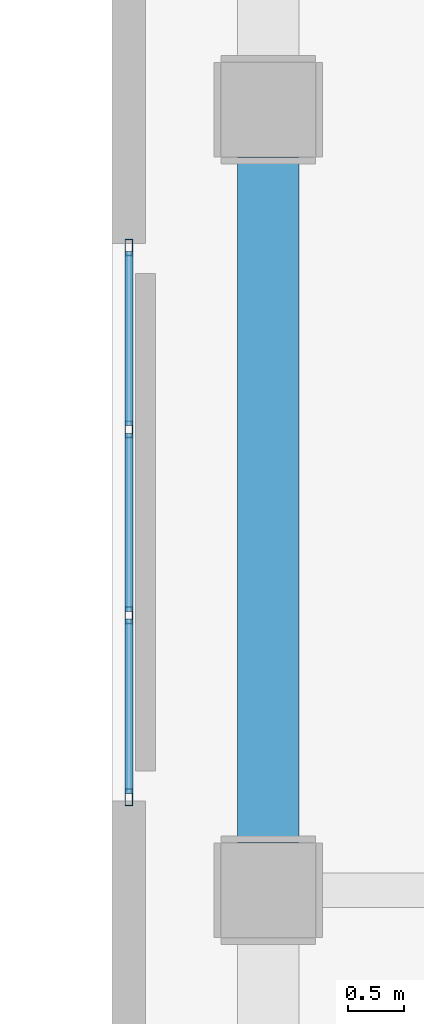
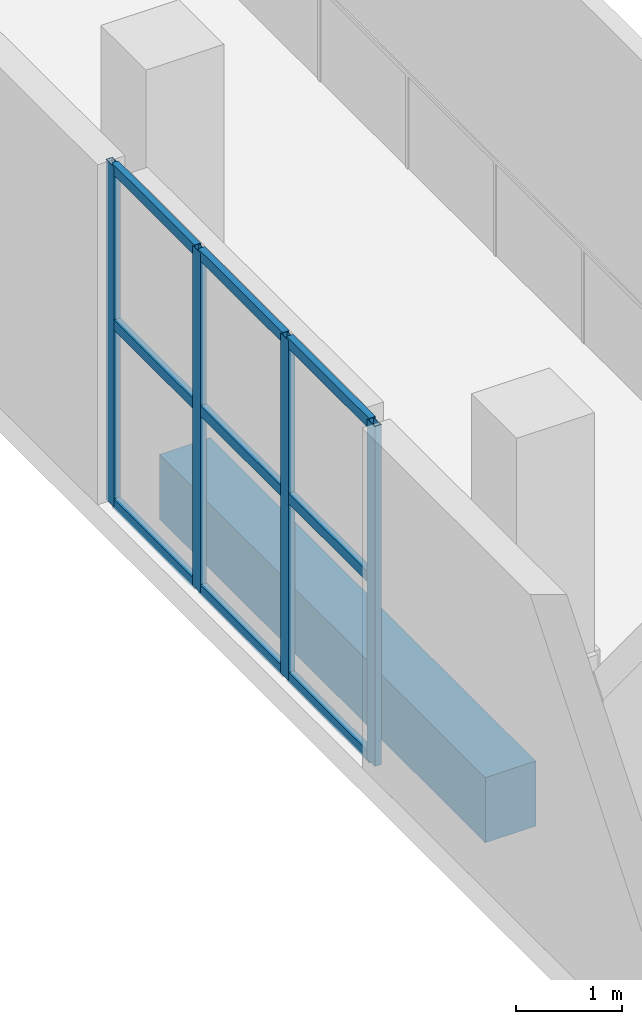
# One storey, part 6 of 20: 13 members, 1 beam, 1 element without a shape of its own.
"""IFC4 building model written with IfcOpenShell, lengths in metres."""

from ifc_helpers import new_model, si_unit, direction, frame, origin, origin_2d, place, context, subcontext, project, spatial, rectangle, hollow_rectangle, extrude, material, layer, layer_set, material_profile, profile_set, type_object, element, aggregate, save


model = new_model("IFC4")

# Units and contexts
model_context = context("Model", 3, precision=1e-05, world=origin(), true_north=direction((0.0, 1.0)))
body_context = subcontext(model_context, "Body", "Model", "MODEL_VIEW")
ifc_project = project(units=[si_unit("LENGTHUNIT", "METRE"), si_unit("AREAUNIT", "SQUARE_METRE"), si_unit("VOLUMEUNIT", "CUBIC_METRE"), si_unit("PLANEANGLEUNIT", "RADIAN"), si_unit("MASSUNIT", "GRAM", prefix="KILO")], contexts=[model_context])

# Site, building, storey
site_placement = place(None, origin())
site = spatial("IfcSite", under=ifc_project, at=site_placement, CompositionType="ELEMENT")
building_placement = place(site_placement, origin())
building = spatial("IfcBuilding", under=site, at=building_placement, Name="Solanera Arch Residences", CompositionType="ELEMENT")
storey_placement = place(building_placement, frame((0.0, 0.0, 9.39990234375)))
storey = spatial("IfcBuildingStorey", under=building, at=storey_placement, Name="L02", CompositionType="ELEMENT", Elevation=9.39990234375)

# Curtain wall, members
ifc_material_1 = material(Name="Anodised Aluminium Alloy 6063-T6", Category="aluminium")
ifc_layer = layer(ifc_material_1, 0.159912109375)
ifc_layer_set = layer_set([ifc_layer], Name="Anodised Aluminium Alloy 6063-T6")
curtain_wall_type = type_object("IfcCurtainWallType", Name="CW-3 Sports Hall Foyer Curtain Wall", PredefinedType="USERDEFINED", material=ifc_layer_set)
curtain_wall_placement = place(storey_placement, origin())
curtain_wall = element("IfcCurtainWall", 1, at=curtain_wall_placement, inside=storey, type_object=curtain_wall_type, Name="L02 Sports Hall Foyer Curtain Wall 1", ObjectType="CURTAIN_WALL", PredefinedType="USERDEFINED")
ifc_material_2 = material(Name="Anodised Aluminium Alloy 6063-T6", Category="aluminium")
ifc_material_profile_1 = material_profile(ifc_material_2, hollow_rectangle(XDim=0.070068359375, YDim=0.14990234375, WallThickness=0.00390625, at=origin_2d()))
ifc_profile_set_1 = profile_set([ifc_material_profile_1], Name="Anodised Aluminium Alloy 6063-T6")
member_type_1 = type_object("IfcMemberType", Name="Curtain Wall Mullion ALU-MUL-70X150", PredefinedType="MULLION", material=ifc_profile_set_1)
member_1_placement = place(storey_placement, frame((54.550048828125, 20.635009765625, 0.0), z_axis=(0.0, 0.0, 1.0), x_axis=(-1.0, 0.0, 0.0)))
member_1 = element("IfcMember", 2, at=member_1_placement, type_object=member_type_1, Name="CW-3 mullion 1", PredefinedType="MULLION", context=body_context, shape_type="SweptSolid", body=[
    extrude(hollow_rectangle(XDim=0.070068359375, YDim=0.14990234375, WallThickness=0.00390625, at=origin_2d()), origin(), (0.0, 0.0, 1.0), 3.920166015625),
])
member_2_placement = place(storey_placement, frame((54.550048828125, 22.2666015625, 0.0), z_axis=(0.0, 0.0, 1.0), x_axis=(-1.0, 0.0, 0.0)))
member_2 = element("IfcMember", 3, at=member_2_placement, type_object=member_type_1, Name="CW-3 mullion 2", PredefinedType="MULLION", context=body_context, shape_type="SweptSolid", body=[
    extrude(hollow_rectangle(XDim=0.070068359375, YDim=0.14990234375, WallThickness=0.00390625, at=origin_2d()), origin(), (0.0, 0.0, 1.0), 3.920166015625),
])
member_3_placement = place(storey_placement, frame((54.550048828125, 23.933349609375, 0.0), z_axis=(0.0, 0.0, 1.0), x_axis=(-1.0, 0.0, 0.0)))
member_3 = element("IfcMember", 4, at=member_3_placement, type_object=member_type_1, Name="CW-3 mullion 3", PredefinedType="MULLION", context=body_context, shape_type="SweptSolid", body=[
    extrude(hollow_rectangle(XDim=0.070068359375, YDim=0.14990234375, WallThickness=0.00390625, at=origin_2d()), origin(), (0.0, 0.0, 1.0), 3.920166015625),
])
member_4_placement = place(storey_placement, frame((54.550048828125, 25.56494140625, 0.0), z_axis=(0.0, 0.0, 1.0), x_axis=(-1.0, 0.0, 0.0)))
member_4 = element("IfcMember", 5, at=member_4_placement, type_object=member_type_1, Name="CW-3 mullion 4", PredefinedType="MULLION", context=body_context, shape_type="SweptSolid", body=[
    extrude(hollow_rectangle(XDim=0.070068359375, YDim=0.14990234375, WallThickness=0.00390625, at=origin_2d()), origin(), (0.0, 0.0, 1.0), 3.920166015625),
])
ifc_material_3 = material(Name="Anodised Aluminium Alloy 6063-T6", Category="aluminium")
ifc_material_profile_2 = material_profile(ifc_material_3, hollow_rectangle(XDim=0.070068359375, YDim=0.1201171875, WallThickness=0.00390625, at=origin_2d()))
ifc_profile_set_2 = profile_set([ifc_material_profile_2], Name="Anodised Aluminium Alloy 6063-T6")
member_type_2 = type_object("IfcMemberType", Name="Curtain Wall Transom ALU-TRN-70X120", PredefinedType="USERDEFINED", material=ifc_profile_set_2)
member_5_placement = place(storey_placement, frame((54.550048828125, 20.669921875, 0.03515625), z_axis=(0.0, 1.0, 0.0), x_axis=(-1.0, 0.0, 0.0)))
member_5 = element("IfcMember", 6, at=member_5_placement, type_object=member_type_2, Name="CW-3 transom 1.1", ObjectType="TRANSOM", PredefinedType="USERDEFINED", context=body_context, shape_type="SweptSolid", body=[
    extrude(hollow_rectangle(XDim=0.070068359375, YDim=0.1201171875, WallThickness=0.00390625, at=origin_2d()), origin(), (0.0, 0.0, 1.0), 1.561767578125),
])
member_6_placement = place(storey_placement, frame((54.550048828125, 20.669921875, 2.10009765625), z_axis=(0.0, 1.0, 0.0), x_axis=(-1.0, 0.0, 0.0)))
member_6 = element("IfcMember", 7, at=member_6_placement, type_object=member_type_2, Name="CW-3 transom 1.2", ObjectType="TRANSOM", PredefinedType="USERDEFINED", context=body_context, shape_type="SweptSolid", body=[
    extrude(hollow_rectangle(XDim=0.070068359375, YDim=0.1201171875, WallThickness=0.00390625, at=origin_2d()), origin(), (0.0, 0.0, 1.0), 1.561767578125),
])
member_7_placement = place(storey_placement, frame((54.550048828125, 20.669921875, 3.885009765625), z_axis=(0.0, 1.0, 0.0), x_axis=(-1.0, 0.0, 0.0)))
member_7 = element("IfcMember", 8, at=member_7_placement, type_object=member_type_2, Name="CW-3 transom 1.3", ObjectType="TRANSOM", PredefinedType="USERDEFINED", context=body_context, shape_type="SweptSolid", body=[
    extrude(hollow_rectangle(XDim=0.070068359375, YDim=0.1201171875, WallThickness=0.00390625, at=origin_2d()), origin(), (0.0, 0.0, 1.0), 1.561767578125),
])
member_8_placement = place(storey_placement, frame((54.550048828125, 22.3017578125, 0.03515625), z_axis=(0.0, 1.0, 0.0), x_axis=(-1.0, 0.0, 0.0)))
member_8 = element("IfcMember", 9, at=member_8_placement, type_object=member_type_2, Name="CW-3 transom 2.1", ObjectType="TRANSOM", PredefinedType="USERDEFINED", context=body_context, shape_type="SweptSolid", body=[
    extrude(hollow_rectangle(XDim=0.070068359375, YDim=0.1201171875, WallThickness=0.00390625, at=origin_2d()), origin(), (0.0, 0.0, 1.0), 1.5966796875),
])
member_9_placement = place(storey_placement, frame((54.550048828125, 22.3017578125, 2.10009765625), z_axis=(0.0, 1.0, 0.0), x_axis=(-1.0, 0.0, 0.0)))
member_9 = element("IfcMember", 10, at=member_9_placement, type_object=member_type_2, Name="CW-3 transom 2.2", ObjectType="TRANSOM", PredefinedType="USERDEFINED", context=body_context, shape_type="SweptSolid", body=[
    extrude(hollow_rectangle(XDim=0.070068359375, YDim=0.1201171875, WallThickness=0.00390625, at=origin_2d()), origin(), (0.0, 0.0, 1.0), 1.5966796875),
])
member_10_placement = place(storey_placement, frame((54.550048828125, 22.3017578125, 3.885009765625), z_axis=(0.0, 1.0, 0.0), x_axis=(-1.0, 0.0, 0.0)))
member_10 = element("IfcMember", 11, at=member_10_placement, type_object=member_type_2, Name="CW-3 transom 2.3", ObjectType="TRANSOM", PredefinedType="USERDEFINED", context=body_context, shape_type="SweptSolid", body=[
    extrude(hollow_rectangle(XDim=0.070068359375, YDim=0.1201171875, WallThickness=0.00390625, at=origin_2d()), origin(), (0.0, 0.0, 1.0), 1.5966796875),
])
member_11_placement = place(storey_placement, frame((54.550048828125, 23.96826171875, 0.03515625), z_axis=(0.0, 1.0, 0.0), x_axis=(-1.0, 0.0, 0.0)))
member_11 = element("IfcMember", 12, at=member_11_placement, type_object=member_type_2, Name="CW-3 transom 3.1", ObjectType="TRANSOM", PredefinedType="USERDEFINED", context=body_context, shape_type="SweptSolid", body=[
    extrude(hollow_rectangle(XDim=0.070068359375, YDim=0.1201171875, WallThickness=0.00390625, at=origin_2d()), origin(), (0.0, 0.0, 1.0), 1.561767578125),
])
member_12_placement = place(storey_placement, frame((54.550048828125, 23.96826171875, 2.10009765625), z_axis=(0.0, 1.0, 0.0), x_axis=(-1.0, 0.0, 0.0)))
member_12 = element("IfcMember", 13, at=member_12_placement, type_object=member_type_2, Name="CW-3 transom 3.2", ObjectType="TRANSOM", PredefinedType="USERDEFINED", context=body_context, shape_type="SweptSolid", body=[
    extrude(hollow_rectangle(XDim=0.070068359375, YDim=0.1201171875, WallThickness=0.00390625, at=origin_2d()), origin(), (0.0, 0.0, 1.0), 1.561767578125),
])
member_13_placement = place(storey_placement, frame((54.550048828125, 23.96826171875, 3.885009765625), z_axis=(0.0, 1.0, 0.0), x_axis=(-1.0, 0.0, 0.0)))
member_13 = element("IfcMember", 14, at=member_13_placement, type_object=member_type_2, Name="CW-3 transom 3.3", ObjectType="TRANSOM", PredefinedType="USERDEFINED", context=body_context, shape_type="SweptSolid", body=[
    extrude(hollow_rectangle(XDim=0.070068359375, YDim=0.1201171875, WallThickness=0.00390625, at=origin_2d()), origin(), (0.0, 0.0, 1.0), 1.561767578125),
])
aggregate(curtain_wall, [member_1, member_2, member_3, member_4, member_5, member_6, member_7, member_8, member_9, member_10, member_11, member_12, member_13])

# Beam
ifc_material_4 = material(Name="Concrete C40/50 (f'c = 45 MPa)", Category="concrete")
ifc_material_profile_3 = material_profile(ifc_material_4, rectangle(XDim=0.550048828125, YDim=0.75, at=origin_2d()))
ifc_profile_set_3 = profile_set([ifc_material_profile_3], Name="Concrete C40/50 (f'c = 45 MPa)")
beam_type = type_object("IfcBeamType", Name="Primary Beam RC-BM-550X750", PredefinedType="BEAM", material=ifc_profile_set_3)
beam_placement = place(storey_placement, frame((55.800048828125, 20.22509765625, -0.65478515625), z_axis=(0.0, 1.0, 0.0), x_axis=(-1.0, 0.0, 0.0)))
element("IfcBeam", 15, at=beam_placement, inside=storey, type_object=beam_type, Name="BM-L02-HW-2", PredefinedType="BEAM", context=body_context, shape_type="SweptSolid", body=[
    extrude(rectangle(XDim=0.550048828125, YDim=0.75, at=origin_2d()), origin(), (0.0, 0.0, 1.0), 6.14990234375),
])

save(model, "model.ifc")
